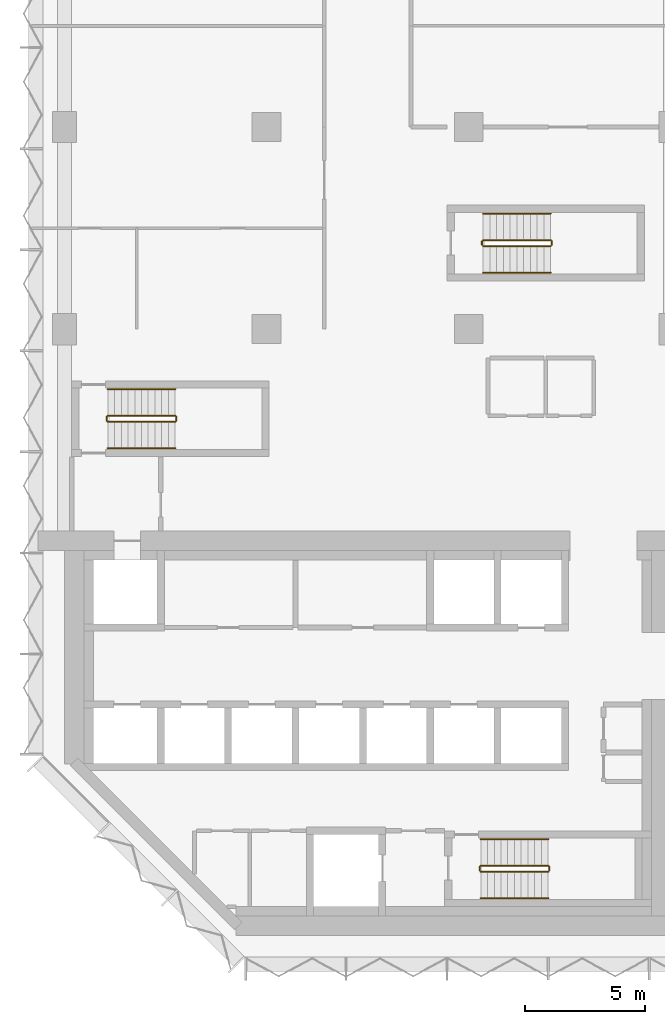
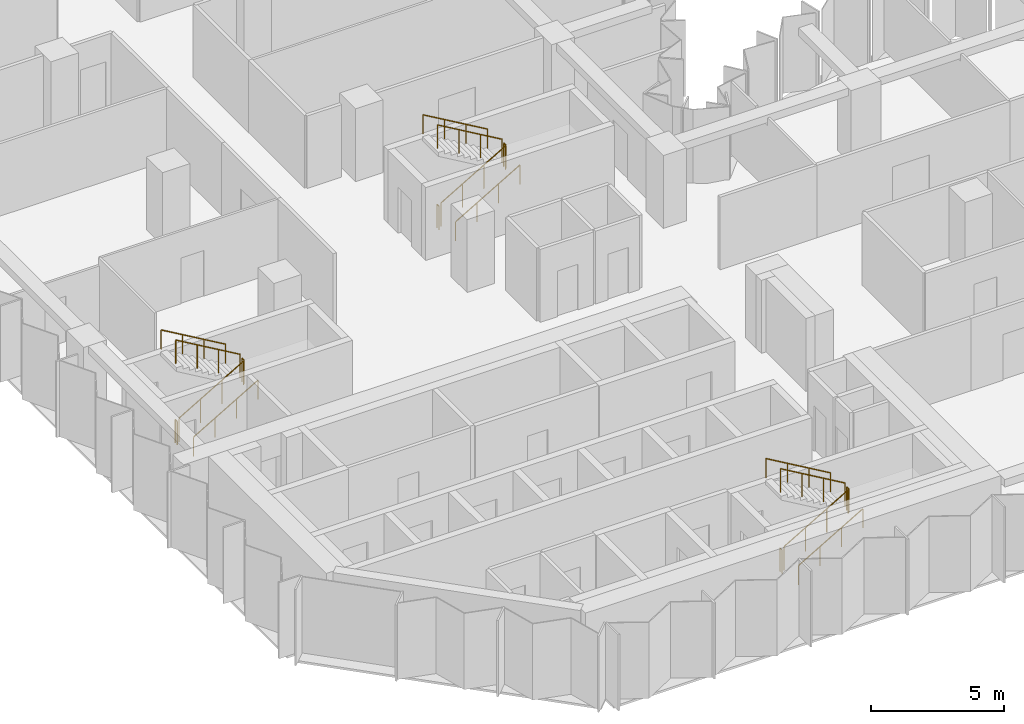
# One storey, part 12 of 13: 18 railings.
"""IFC4 building model written with IfcOpenShell, lengths in metres."""

from ifc_helpers import new_model, si_unit, direction, frame, origin, origin_2d, place, context, subcontext, project, spatial, circle, extrude, material, type_object, element, save


model = new_model("IFC4")

# Units and contexts
model_context = context("Model", 3, precision=1e-05, world=origin(), true_north=direction((0.0, 1.0)))
body_context = subcontext(model_context, "Body", "Model", "MODEL_VIEW")
ifc_project = project(units=[si_unit("LENGTHUNIT", "METRE"), si_unit("AREAUNIT", "SQUARE_METRE"), si_unit("VOLUMEUNIT", "CUBIC_METRE"), si_unit("PLANEANGLEUNIT", "RADIAN"), si_unit("MASSUNIT", "GRAM", prefix="KILO")], contexts=[model_context])

# Site, building, storey
site_placement = place(None, origin())
site = spatial("IfcSite", under=ifc_project, at=site_placement, CompositionType="ELEMENT")
building_placement = place(site_placement, origin())
building = spatial("IfcBuilding", under=site, at=building_placement, Name="Brevane Broadcast Tower", CompositionType="ELEMENT")
storey_placement = place(building_placement, frame((0.0, 0.0, 98.89990234375)))
storey = spatial("IfcBuildingStorey", under=building, at=storey_placement, Name="L23", CompositionType="ELEMENT", Elevation=98.89990234375)

# Railings
ifc_material = material(Name="Steel S355", Category="steel")
railing_type_1 = type_object("IfcRailingType", Name="Exit stair guard", PredefinedType="GUARDRAIL", material=ifc_material)
railing_1_placement = place(storey_placement, frame((1.800048828125, 21.35009765625, 0.163818359375)))
element("IfcRailing", 1, at=railing_1_placement, inside=storey, type_object=railing_type_1, Name="L23 ST-1 stair guard 1", PredefinedType="GUARDRAIL", context=body_context, shape_type="SweptSolid", body=[
    extrude(circle(Radius=0.02392578125, at=origin_2d()), frame((0.0, 0.0, 1.076171875), z_axis=(0.863393664356, 0.0, 0.504530851732), x_axis=(0.0, 1.0, 0.0)), (0.0, 0.0, 1.0), 3.2431640625),
    extrude(circle(Radius=0.02099609375, at=origin_2d()), origin(), (0.0, 0.0, 1.0), 1.052001953125),
    extrude(circle(Radius=0.02099609375, at=origin_2d()), frame((0.933349609375, 0.0, 0.54541015625)), (0.0, 0.0, 1.0), 1.052001953125),
    extrude(circle(Radius=0.02099609375, at=origin_2d()), frame((1.86669921875, 0.0, 1.0908203125)), (0.0, 0.0, 1.0), 1.052001953125),
    extrude(circle(Radius=0.02099609375, at=origin_2d()), frame((2.800048828125, 0.0, 1.63623046875)), (0.0, 0.0, 1.0), 1.052001953125),
])
railing_2_placement = place(storey_placement, frame((4.64990234375, 21.39990234375, 1.800048828125)))
element("IfcRailing", 2, at=railing_2_placement, inside=storey, type_object=railing_type_1, Name="L23 ST-1 stair guard 2", PredefinedType="GUARDRAIL", context=body_context, shape_type="SweptSolid", body=[
    extrude(circle(Radius=0.02392578125, at=origin_2d()), frame((0.0, 0.0, 1.076171875), z_axis=(0.0, 1.0, 0.0), x_axis=(-1.0, 0.0, 0.0)), (0.0, 0.0, 1.0), 0.150146484375),
    extrude(circle(Radius=0.02099609375, at=origin_2d()), origin(), (0.0, 0.0, 1.0), 1.052001953125),
    extrude(circle(Radius=0.02099609375, at=origin_2d()), frame((0.0, 0.150146484375, 0.0)), (0.0, 0.0, 1.0), 1.052001953125),
])
railing_3_placement = place(storey_placement, frame((4.60009765625, 21.60009765625, 1.963623046875)))
element("IfcRailing", 3, at=railing_3_placement, inside=storey, type_object=railing_type_1, Name="L23 ST-1 stair guard 3", PredefinedType="GUARDRAIL", context=body_context, shape_type="SweptSolid", body=[
    extrude(circle(Radius=0.02392578125, at=origin_2d()), frame((0.0, 0.0, 1.076171875), z_axis=(-0.863360870873, 0.0, 0.504586966384), x_axis=(0.0, -1.0, 0.0)), (0.0, 0.0, 1.0), 3.2431640625),
    extrude(circle(Radius=0.02099609375, at=origin_2d()), origin(), (0.0, 0.0, 1.0), 1.052001953125),
    extrude(circle(Radius=0.02099609375, at=origin_2d()), frame((-0.933349609375, 0.0, 0.54541015625)), (0.0, 0.0, 1.0), 1.052001953125),
    extrude(circle(Radius=0.02099609375, at=origin_2d()), frame((-1.86669921875, 0.0, 1.091064453125)), (0.0, 0.0, 1.0), 1.052001953125),
    extrude(circle(Radius=0.02099609375, at=origin_2d()), frame((-2.800048828125, 0.0, 1.636474609375)), (0.0, 0.0, 1.0), 1.052001953125),
])
railing_4_placement = place(storey_placement, frame((1.75, 21.39990234375, 0.0)))
element("IfcRailing", 4, at=railing_4_placement, inside=storey, type_object=railing_type_1, Name="L23 ST-1 stair guard 4", PredefinedType="GUARDRAIL", context=body_context, shape_type="SweptSolid", body=[
    extrude(circle(Radius=0.02392578125, at=origin_2d()), frame((0.0, 0.0, 1.076171875), z_axis=(0.0, 1.0, 0.0), x_axis=(-1.0, 0.0, 0.0)), (0.0, 0.0, 1.0), 0.150146484375),
    extrude(circle(Radius=0.02099609375, at=origin_2d()), origin(), (0.0, 0.0, 1.0), 1.052001953125),
    extrude(circle(Radius=0.02099609375, at=origin_2d()), frame((0.0, 0.150146484375, 0.0)), (0.0, 0.0, 1.0), 1.052001953125),
])
railing_5_placement = place(storey_placement, frame((17.300048828125, 2.64990234375, 0.163818359375)))
element("IfcRailing", 5, at=railing_5_placement, inside=storey, type_object=railing_type_1, Name="L23 ST-2 stair guard 1", PredefinedType="GUARDRAIL", context=body_context, shape_type="SweptSolid", body=[
    extrude(circle(Radius=0.02392578125, at=origin_2d()), frame((0.0, 0.0, 1.076171875), z_axis=(0.863393664356, 0.0, 0.504530851732), x_axis=(0.0, 1.0, 0.0)), (0.0, 0.0, 1.0), 3.2431640625),
    extrude(circle(Radius=0.02099609375, at=origin_2d()), origin(), (0.0, 0.0, 1.0), 1.052001953125),
    extrude(circle(Radius=0.02099609375, at=origin_2d()), frame((0.933349609375, 0.0, 0.54541015625)), (0.0, 0.0, 1.0), 1.052001953125),
    extrude(circle(Radius=0.02099609375, at=origin_2d()), frame((1.86669921875, 0.0, 1.0908203125)), (0.0, 0.0, 1.0), 1.052001953125),
    extrude(circle(Radius=0.02099609375, at=origin_2d()), frame((2.800048828125, 0.0, 1.63623046875)), (0.0, 0.0, 1.0), 1.052001953125),
])
railing_6_placement = place(storey_placement, frame((20.14990234375, 2.699951171875, 1.800048828125)))
element("IfcRailing", 6, at=railing_6_placement, inside=storey, type_object=railing_type_1, Name="L23 ST-2 stair guard 2", PredefinedType="GUARDRAIL", context=body_context, shape_type="SweptSolid", body=[
    extrude(circle(Radius=0.02392578125, at=origin_2d()), frame((0.0, 0.0, 1.076171875), z_axis=(0.0, 1.0, 0.0), x_axis=(-1.0, 0.0, 0.0)), (0.0, 0.0, 1.0), 0.150146484375),
    extrude(circle(Radius=0.02099609375, at=origin_2d()), origin(), (0.0, 0.0, 1.0), 1.052001953125),
    extrude(circle(Radius=0.02099609375, at=origin_2d()), frame((0.0, 0.150146484375, 0.0)), (0.0, 0.0, 1.0), 1.052001953125),
])
railing_7_placement = place(storey_placement, frame((20.10009765625, 2.89990234375, 1.963623046875)))
element("IfcRailing", 7, at=railing_7_placement, inside=storey, type_object=railing_type_1, Name="L23 ST-2 stair guard 3", PredefinedType="GUARDRAIL", context=body_context, shape_type="SweptSolid", body=[
    extrude(circle(Radius=0.02392578125, at=origin_2d()), frame((0.0, 0.0, 1.076171875), z_axis=(-0.863360870873, 0.0, 0.504586966384), x_axis=(0.0, -1.0, 0.0)), (0.0, 0.0, 1.0), 3.2431640625),
    extrude(circle(Radius=0.02099609375, at=origin_2d()), origin(), (0.0, 0.0, 1.0), 1.052001953125),
    extrude(circle(Radius=0.02099609375, at=origin_2d()), frame((-0.933349609375, 0.0, 0.54541015625)), (0.0, 0.0, 1.0), 1.052001953125),
    extrude(circle(Radius=0.02099609375, at=origin_2d()), frame((-1.86669921875, 0.0, 1.091064453125)), (0.0, 0.0, 1.0), 1.052001953125),
    extrude(circle(Radius=0.02099609375, at=origin_2d()), frame((-2.800048828125, 0.0, 1.636474609375)), (0.0, 0.0, 1.0), 1.052001953125),
])
railing_8_placement = place(storey_placement, frame((17.25, 2.699951171875, 0.0)))
element("IfcRailing", 8, at=railing_8_placement, inside=storey, type_object=railing_type_1, Name="L23 ST-2 stair guard 4", PredefinedType="GUARDRAIL", context=body_context, shape_type="SweptSolid", body=[
    extrude(circle(Radius=0.02392578125, at=origin_2d()), frame((0.0, 0.0, 1.076171875), z_axis=(0.0, 1.0, 0.0), x_axis=(-1.0, 0.0, 0.0)), (0.0, 0.0, 1.0), 0.150146484375),
    extrude(circle(Radius=0.02099609375, at=origin_2d()), origin(), (0.0, 0.0, 1.0), 1.052001953125),
    extrude(circle(Radius=0.02099609375, at=origin_2d()), frame((0.0, 0.150146484375, 0.0)), (0.0, 0.0, 1.0), 1.052001953125),
])
railing_9_placement = place(storey_placement, frame((17.39990234375, 28.64990234375, 0.163818359375)))
element("IfcRailing", 9, at=railing_9_placement, inside=storey, type_object=railing_type_1, Name="L23 ST-3 stair guard 1", PredefinedType="GUARDRAIL", context=body_context, shape_type="SweptSolid", body=[
    extrude(circle(Radius=0.02392578125, at=origin_2d()), frame((0.0, 0.0, 1.076171875), z_axis=(0.863393664356, 0.0, 0.504530851732), x_axis=(0.0, 1.0, 0.0)), (0.0, 0.0, 1.0), 3.2431640625),
    extrude(circle(Radius=0.02099609375, at=origin_2d()), origin(), (0.0, 0.0, 1.0), 1.052001953125),
    extrude(circle(Radius=0.02099609375, at=origin_2d()), frame((0.933349609375, 0.0, 0.54541015625)), (0.0, 0.0, 1.0), 1.052001953125),
    extrude(circle(Radius=0.02099609375, at=origin_2d()), frame((1.86669921875, 0.0, 1.0908203125)), (0.0, 0.0, 1.0), 1.052001953125),
    extrude(circle(Radius=0.02099609375, at=origin_2d()), frame((2.800048828125, 0.0, 1.63623046875)), (0.0, 0.0, 1.0), 1.052001953125),
])
railing_10_placement = place(storey_placement, frame((20.25, 28.699951171875, 1.800048828125)))
element("IfcRailing", 10, at=railing_10_placement, inside=storey, type_object=railing_type_1, Name="L23 ST-3 stair guard 2", PredefinedType="GUARDRAIL", context=body_context, shape_type="SweptSolid", body=[
    extrude(circle(Radius=0.02392578125, at=origin_2d()), frame((0.0, 0.0, 1.076171875), z_axis=(0.0, 1.0, 0.0), x_axis=(-1.0, 0.0, 0.0)), (0.0, 0.0, 1.0), 0.150146484375),
    extrude(circle(Radius=0.02099609375, at=origin_2d()), origin(), (0.0, 0.0, 1.0), 1.052001953125),
    extrude(circle(Radius=0.02099609375, at=origin_2d()), frame((0.0, 0.150146484375, 0.0)), (0.0, 0.0, 1.0), 1.052001953125),
])
railing_11_placement = place(storey_placement, frame((20.199951171875, 28.89990234375, 1.963623046875)))
element("IfcRailing", 11, at=railing_11_placement, inside=storey, type_object=railing_type_1, Name="L23 ST-3 stair guard 3", PredefinedType="GUARDRAIL", context=body_context, shape_type="SweptSolid", body=[
    extrude(circle(Radius=0.02392578125, at=origin_2d()), frame((0.0, 0.0, 1.076171875), z_axis=(-0.863360870873, 0.0, 0.504586966384), x_axis=(0.0, -1.0, 0.0)), (0.0, 0.0, 1.0), 3.2431640625),
    extrude(circle(Radius=0.02099609375, at=origin_2d()), origin(), (0.0, 0.0, 1.0), 1.052001953125),
    extrude(circle(Radius=0.02099609375, at=origin_2d()), frame((-0.933349609375, 0.0, 0.54541015625)), (0.0, 0.0, 1.0), 1.052001953125),
    extrude(circle(Radius=0.02099609375, at=origin_2d()), frame((-1.86669921875, 0.0, 1.091064453125)), (0.0, 0.0, 1.0), 1.052001953125),
    extrude(circle(Radius=0.02099609375, at=origin_2d()), frame((-2.800048828125, 0.0, 1.636474609375)), (0.0, 0.0, 1.0), 1.052001953125),
])
railing_12_placement = place(storey_placement, frame((17.35009765625, 28.699951171875, 0.0)))
element("IfcRailing", 12, at=railing_12_placement, inside=storey, type_object=railing_type_1, Name="L23 ST-3 stair guard 4", PredefinedType="GUARDRAIL", context=body_context, shape_type="SweptSolid", body=[
    extrude(circle(Radius=0.02392578125, at=origin_2d()), frame((0.0, 0.0, 1.076171875), z_axis=(0.0, 1.0, 0.0), x_axis=(-1.0, 0.0, 0.0)), (0.0, 0.0, 1.0), 0.150146484375),
    extrude(circle(Radius=0.02099609375, at=origin_2d()), origin(), (0.0, 0.0, 1.0), 1.052001953125),
    extrude(circle(Radius=0.02099609375, at=origin_2d()), frame((0.0, 0.150146484375, 0.0)), (0.0, 0.0, 1.0), 1.052001953125),
])
railing_type_2 = type_object("IfcRailingType", Name="Exit stair handrail", PredefinedType="HANDRAIL", material=ifc_material)
railing_13_placement = place(storey_placement, frame((1.800048828125, 20.25, 0.163818359375)))
element("IfcRailing", 13, at=railing_13_placement, inside=storey, type_object=railing_type_2, Name="L23 ST-1 stair handrail 1", PredefinedType="HANDRAIL", context=body_context, shape_type="SweptSolid", body=[
    extrude(circle(Radius=0.02392578125, at=origin_2d()), frame((0.0, 0.0, 0.8759765625), z_axis=(0.863393664356, 0.0, 0.504530851732), x_axis=(0.0, 1.0, 0.0)), (0.0, 0.0, 1.0), 3.2431640625),
    extrude(circle(Radius=0.02099609375, at=origin_2d()), origin(), (0.0, 0.0, 1.0), 0.851806640625),
    extrude(circle(Radius=0.02099609375, at=origin_2d()), frame((0.933349609375, 0.0, 0.54541015625)), (0.0, 0.0, 1.0), 0.851806640625),
    extrude(circle(Radius=0.02099609375, at=origin_2d()), frame((1.86669921875, 0.0, 1.0908203125)), (0.0, 0.0, 1.0), 0.851806640625),
    extrude(circle(Radius=0.02099609375, at=origin_2d()), frame((2.800048828125, 0.0, 1.63623046875)), (0.0, 0.0, 1.0), 0.851806640625),
])
railing_14_placement = place(storey_placement, frame((4.60009765625, 22.699951171875, 1.963623046875)))
element("IfcRailing", 14, at=railing_14_placement, inside=storey, type_object=railing_type_2, Name="L23 ST-1 stair handrail 2", PredefinedType="HANDRAIL", context=body_context, shape_type="SweptSolid", body=[
    extrude(circle(Radius=0.02392578125, at=origin_2d()), frame((0.0, 0.0, 0.8759765625), z_axis=(-0.863360870873, 0.0, 0.504586966384), x_axis=(0.0, -1.0, 0.0)), (0.0, 0.0, 1.0), 3.2431640625),
    extrude(circle(Radius=0.02099609375, at=origin_2d()), origin(), (0.0, 0.0, 1.0), 0.851806640625),
    extrude(circle(Radius=0.02099609375, at=origin_2d()), frame((-0.933349609375, 0.0, 0.54541015625)), (0.0, 0.0, 1.0), 0.851806640625),
    extrude(circle(Radius=0.02099609375, at=origin_2d()), frame((-1.86669921875, 0.0, 1.091064453125)), (0.0, 0.0, 1.0), 0.851806640625),
    extrude(circle(Radius=0.02099609375, at=origin_2d()), frame((-2.800048828125, 0.0, 1.636474609375)), (0.0, 0.0, 1.0), 0.851806640625),
])
railing_15_placement = place(storey_placement, frame((17.300048828125, 1.550048828125, 0.163818359375)))
element("IfcRailing", 15, at=railing_15_placement, inside=storey, type_object=railing_type_2, Name="L23 ST-2 stair handrail 1", PredefinedType="HANDRAIL", context=body_context, shape_type="SweptSolid", body=[
    extrude(circle(Radius=0.02392578125, at=origin_2d()), frame((0.0, 0.0, 0.8759765625), z_axis=(0.863393664356, 0.0, 0.504530851732), x_axis=(0.0, 1.0, 0.0)), (0.0, 0.0, 1.0), 3.2431640625),
    extrude(circle(Radius=0.02099609375, at=origin_2d()), origin(), (0.0, 0.0, 1.0), 0.851806640625),
    extrude(circle(Radius=0.02099609375, at=origin_2d()), frame((0.933349609375, 0.0, 0.54541015625)), (0.0, 0.0, 1.0), 0.851806640625),
    extrude(circle(Radius=0.02099609375, at=origin_2d()), frame((1.86669921875, 0.0, 1.0908203125)), (0.0, 0.0, 1.0), 0.851806640625),
    extrude(circle(Radius=0.02099609375, at=origin_2d()), frame((2.800048828125, 0.0, 1.63623046875)), (0.0, 0.0, 1.0), 0.851806640625),
])
railing_16_placement = place(storey_placement, frame((20.10009765625, 4.0, 1.963623046875)))
element("IfcRailing", 16, at=railing_16_placement, inside=storey, type_object=railing_type_2, Name="L23 ST-2 stair handrail 2", PredefinedType="HANDRAIL", context=body_context, shape_type="SweptSolid", body=[
    extrude(circle(Radius=0.02392578125, at=origin_2d()), frame((0.0, 0.0, 0.8759765625), z_axis=(-0.863360870873, 0.0, 0.504586966384), x_axis=(0.0, -1.0, 0.0)), (0.0, 0.0, 1.0), 3.2431640625),
    extrude(circle(Radius=0.02099609375, at=origin_2d()), origin(), (0.0, 0.0, 1.0), 0.851806640625),
    extrude(circle(Radius=0.02099609375, at=origin_2d()), frame((-0.933349609375, 0.0, 0.54541015625)), (0.0, 0.0, 1.0), 0.851806640625),
    extrude(circle(Radius=0.02099609375, at=origin_2d()), frame((-1.86669921875, 0.0, 1.091064453125)), (0.0, 0.0, 1.0), 0.851806640625),
    extrude(circle(Radius=0.02099609375, at=origin_2d()), frame((-2.800048828125, 0.0, 1.636474609375)), (0.0, 0.0, 1.0), 0.851806640625),
])
railing_17_placement = place(storey_placement, frame((17.39990234375, 27.550048828125, 0.163818359375)))
element("IfcRailing", 17, at=railing_17_placement, inside=storey, type_object=railing_type_2, Name="L23 ST-3 stair handrail 1", PredefinedType="HANDRAIL", context=body_context, shape_type="SweptSolid", body=[
    extrude(circle(Radius=0.02392578125, at=origin_2d()), frame((0.0, 0.0, 0.8759765625), z_axis=(0.863393664356, 0.0, 0.504530851732), x_axis=(0.0, 1.0, 0.0)), (0.0, 0.0, 1.0), 3.2431640625),
    extrude(circle(Radius=0.02099609375, at=origin_2d()), origin(), (0.0, 0.0, 1.0), 0.851806640625),
    extrude(circle(Radius=0.02099609375, at=origin_2d()), frame((0.933349609375, 0.0, 0.54541015625)), (0.0, 0.0, 1.0), 0.851806640625),
    extrude(circle(Radius=0.02099609375, at=origin_2d()), frame((1.86669921875, 0.0, 1.0908203125)), (0.0, 0.0, 1.0), 0.851806640625),
    extrude(circle(Radius=0.02099609375, at=origin_2d()), frame((2.800048828125, 0.0, 1.63623046875)), (0.0, 0.0, 1.0), 0.851806640625),
])
railing_18_placement = place(storey_placement, frame((20.199951171875, 30.0, 1.963623046875)))
element("IfcRailing", 18, at=railing_18_placement, inside=storey, type_object=railing_type_2, Name="L23 ST-3 stair handrail 2", PredefinedType="HANDRAIL", context=body_context, shape_type="SweptSolid", body=[
    extrude(circle(Radius=0.02392578125, at=origin_2d()), frame((0.0, 0.0, 0.8759765625), z_axis=(-0.863360870873, 0.0, 0.504586966384), x_axis=(0.0, -1.0, 0.0)), (0.0, 0.0, 1.0), 3.2431640625),
    extrude(circle(Radius=0.02099609375, at=origin_2d()), origin(), (0.0, 0.0, 1.0), 0.851806640625),
    extrude(circle(Radius=0.02099609375, at=origin_2d()), frame((-0.933349609375, 0.0, 0.54541015625)), (0.0, 0.0, 1.0), 0.851806640625),
    extrude(circle(Radius=0.02099609375, at=origin_2d()), frame((-1.86669921875, 0.0, 1.091064453125)), (0.0, 0.0, 1.0), 0.851806640625),
    extrude(circle(Radius=0.02099609375, at=origin_2d()), frame((-2.800048828125, 0.0, 1.636474609375)), (0.0, 0.0, 1.0), 0.851806640625),
])

save(model, "model.ifc")
